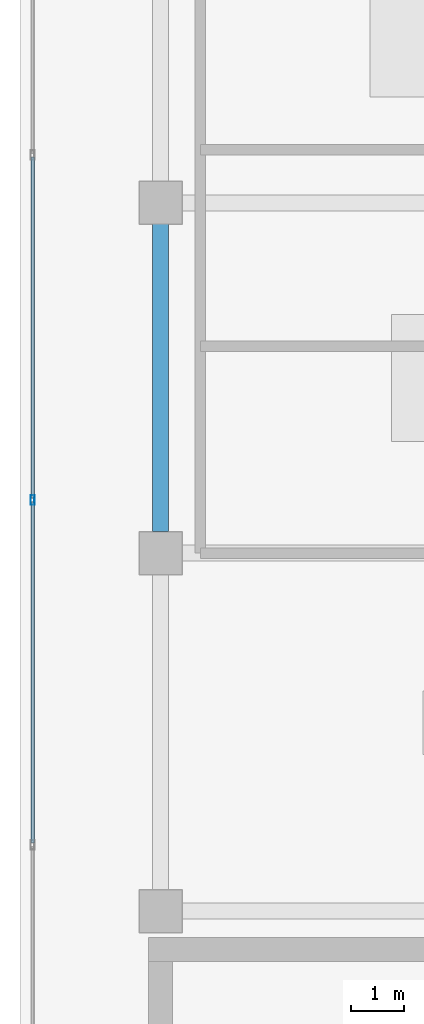
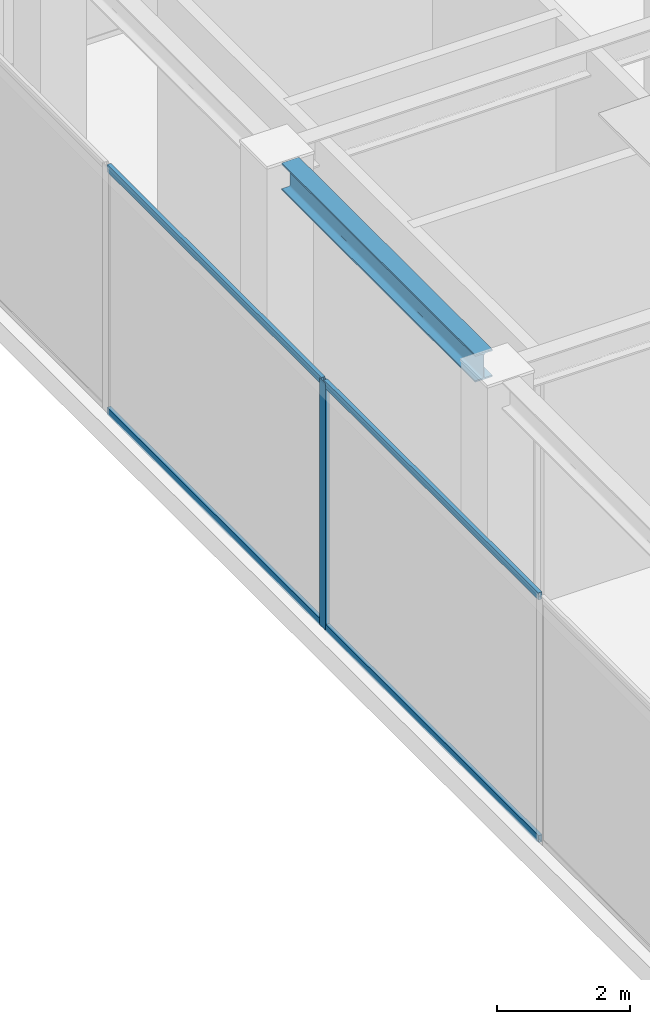
# One storey, part 11 of 22: 5 members, 1 beam, 1 element without a shape of its own.
"""IFC4 building model written with IfcOpenShell, lengths in metres."""

from ifc_helpers import new_model, si_unit, direction, frame, origin, origin_with_axes, origin_2d, place, context, subcontext, project, spatial, hollow_rectangle, i_section, extrude, source, transform, mapped, material, layer, layer_set, material_profile, profile_set, type_object, element, aggregate, save


model = new_model("IFC4")

# Units and contexts
model_context = context("Model", 3, precision=1e-05, world=origin(), true_north=direction((0.0, 1.0)))
body_context = subcontext(model_context, "Body", "Model", "MODEL_VIEW")
ifc_project = project(units=[si_unit("LENGTHUNIT", "METRE"), si_unit("AREAUNIT", "SQUARE_METRE"), si_unit("VOLUMEUNIT", "CUBIC_METRE"), si_unit("PLANEANGLEUNIT", "RADIAN"), si_unit("MASSUNIT", "GRAM", prefix="KILO")], contexts=[model_context])

# Site, building, storey
site_placement = place(None, origin())
site = spatial("IfcSite", under=ifc_project, at=site_placement, CompositionType="ELEMENT")
building_placement = place(site_placement, origin())
building = spatial("IfcBuilding", under=site, at=building_placement, Name="Kolvaren Waterfront Exchange", CompositionType="ELEMENT")
storey_placement = place(building_placement, frame((0.0, 0.0, 360.39990234375)))
storey = spatial("IfcBuildingStorey", under=building, at=storey_placement, Name="RF", CompositionType="ELEMENT", Elevation=360.39990234375)

# Beam
ifc_material_1 = material(Name="Steel S355", Category="steel")
ifc_material_profile_1 = material_profile(ifc_material_1, i_section(OverallWidth=0.300048828125, OverallDepth=0.5, WebThickness=0.014404296875, FlangeThickness=0.028076171875, FilletRadius=0.027099609375, at=origin_2d()), Name="HEB500")
ifc_profile_set_1 = profile_set([ifc_material_profile_1], Name="Steel S355")
beam_type = type_object("IfcBeamType", Name="STR-BM-HEB500", PredefinedType="BEAM", material=ifc_profile_set_1)
beam_placement = place(storey_placement, frame((7.449951171875, 31.60205078125, 4.281005859375), z_axis=(0.0, 1.0, 0.0), x_axis=(-1.0, 0.0, 0.0)))
element("IfcBeam", 1, at=beam_placement, inside=storey, type_object=beam_type, Name="RF crown roof girder 13", PredefinedType="SPANDREL", context=body_context, shape_type="SweptSolid", body=[
    extrude(i_section(OverallWidth=0.300048828125, OverallDepth=0.5, WebThickness=0.014404296875, FlangeThickness=0.028076171875, FilletRadius=0.027099609375, at=origin_2d()), origin(), (0.0, 0.0, 1.0), 5.7958984375),
])

# Curtain wall, members
ifc_material_2 = material(Name="Anodised bronze aluminium 6063-T6", Category="aluminium")
ifc_layer = layer(ifc_material_2, 0.219970703125, Name="Anodised bronze aluminium 6063-T6")
ifc_layer_set = layer_set([ifc_layer], Name="Anodised bronze aluminium 6063-T6")
curtain_wall_type = type_object("IfcCurtainWallType", Name="ARC-CW-SYS5", PredefinedType="USERDEFINED", material=ifc_layer_set)
curtain_wall_placement = place(storey_placement, origin())
curtain_wall = element("IfcCurtainWall", 2, at=curtain_wall_placement, inside=storey, type_object=curtain_wall_type, Name="RF stick curtain wall CW5 (CW-RF-W)", ObjectType="STICK CURTAIN WALL", PredefinedType="USERDEFINED")
ifc_material_profile_2 = material_profile(ifc_material_2, hollow_rectangle(XDim=0.074951171875, YDim=0.179931640625, WallThickness=0.00439453125, at=origin_2d()), Name="ALU-MUL-180x75x4.5")
ifc_profile_set_2 = profile_set([ifc_material_profile_2], Name="Anodised bronze aluminium 6063-T6")
member_type_1 = type_object("IfcMemberType", Name="ARC-CWM-180", PredefinedType="MULLION", material=ifc_profile_set_2)
shared_shape_1 = source(origin_with_axes(), body_context, "Body", "SweptSolid", [
    extrude(hollow_rectangle(XDim=0.074951171875, YDim=0.179931640625, WallThickness=0.00439453125, at=origin_2d()), origin(), (0.0, 0.0, 1.0), 4.504638671875),
])
member_1_placement = place(storey_placement, frame((5.0400390625, 32.199951171875, 0.0), z_axis=(0.0, 0.0, 1.0), x_axis=(-1.0, 0.0, 0.0)))
member_1 = element("IfcMember", 3, at=member_1_placement, type_object=member_type_1, Name="CW5 mullion 5", PredefinedType="MULLION", context=body_context, shape_type="MappedRepresentation", body=[
    mapped(shared_shape_1, transform((0.0, 0.0, 0.0), x_axis=(1.0, 0.0, 0.0), y_axis=(0.0, 1.0, 0.0), z_axis=(0.0, 0.0, 1.0), scale=1.0)),
])
ifc_material_profile_3 = material_profile(ifc_material_2, hollow_rectangle(XDim=0.06494140625, YDim=0.1298828125, WallThickness=0.00390625, at=origin_2d()), Name="ALU-TRN-130x65x4")
ifc_profile_set_3 = profile_set([ifc_material_profile_3], Name="Anodised bronze aluminium 6063-T6")
member_type_2 = type_object("IfcMemberType", Name="ARC-CWT-130", PredefinedType="USERDEFINED", material=ifc_profile_set_3)
shared_shape_2 = source(origin_with_axes(), body_context, "Body", "SweptSolid", [
    extrude(hollow_rectangle(XDim=0.06494140625, YDim=0.1298828125, WallThickness=0.00390625, at=origin_2d()), origin(), (0.0, 0.0, 1.0), 6.425048828125),
])
member_2_placement = place(storey_placement, frame((5.0400390625, 25.737548828125, 0.03271484375), z_axis=(0.0, 1.0, 0.0), x_axis=(-1.0, 0.0, 0.0)))
member_2 = element("IfcMember", 4, at=member_2_placement, type_object=member_type_2, Name="CW5 transom 4.1", ObjectType="TRANSOM", PredefinedType="USERDEFINED", context=body_context, shape_type="MappedRepresentation", body=[
    mapped(shared_shape_2, transform((0.0, 0.0, 0.0), x_axis=(1.0, 0.0, 0.0), y_axis=(0.0, 1.0, 0.0), z_axis=(0.0, 0.0, 1.0), scale=1.0)),
])
member_3_placement = place(storey_placement, frame((5.0400390625, 25.737548828125, 4.47216796875), z_axis=(0.0, 1.0, 0.0), x_axis=(-1.0, 0.0, 0.0)))
member_3 = element("IfcMember", 5, at=member_3_placement, type_object=member_type_2, Name="CW5 transom 4.2", ObjectType="TRANSOM", PredefinedType="USERDEFINED", context=body_context, shape_type="MappedRepresentation", body=[
    mapped(shared_shape_2, transform((0.0, 0.0, 0.0), x_axis=(1.0, 0.0, 0.0), y_axis=(0.0, 1.0, 0.0), z_axis=(0.0, 0.0, 1.0), scale=1.0)),
])
member_4_placement = place(storey_placement, frame((5.0400390625, 32.237548828125, 0.03271484375), z_axis=(0.0, 1.0, 0.0), x_axis=(-1.0, 0.0, 0.0)))
member_4 = element("IfcMember", 6, at=member_4_placement, type_object=member_type_2, Name="CW5 transom 5.1", ObjectType="TRANSOM", PredefinedType="USERDEFINED", context=body_context, shape_type="MappedRepresentation", body=[
    mapped(shared_shape_2, transform((0.0, 0.0, 0.0), x_axis=(1.0, 0.0, 0.0), y_axis=(0.0, 1.0, 0.0), z_axis=(0.0, 0.0, 1.0), scale=1.0)),
])
member_5_placement = place(storey_placement, frame((5.0400390625, 32.237548828125, 4.47216796875), z_axis=(0.0, 1.0, 0.0), x_axis=(-1.0, 0.0, 0.0)))
member_5 = element("IfcMember", 7, at=member_5_placement, type_object=member_type_2, Name="CW5 transom 5.2", ObjectType="TRANSOM", PredefinedType="USERDEFINED", context=body_context, shape_type="MappedRepresentation", body=[
    mapped(shared_shape_2, transform((0.0, 0.0, 0.0), x_axis=(1.0, 0.0, 0.0), y_axis=(0.0, 1.0, 0.0), z_axis=(0.0, 0.0, 1.0), scale=1.0)),
])
aggregate(curtain_wall, [member_1, member_2, member_3, member_4, member_5])

save(model, "model.ifc")
